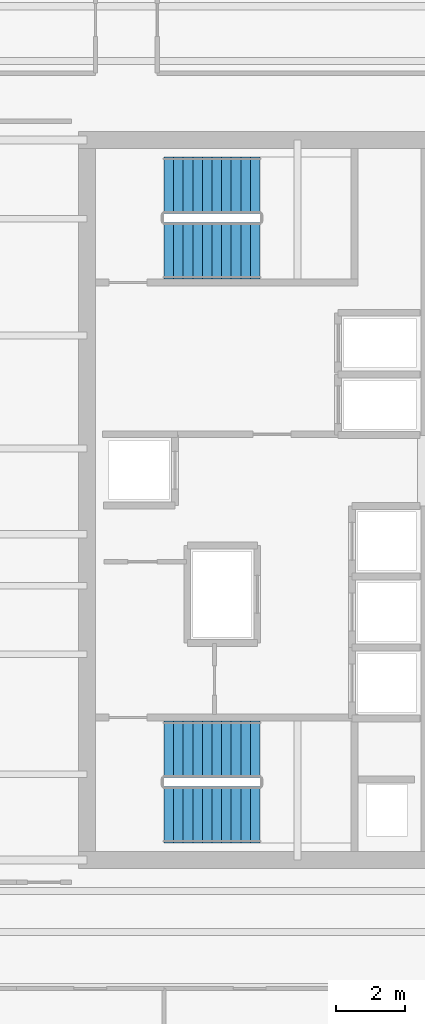
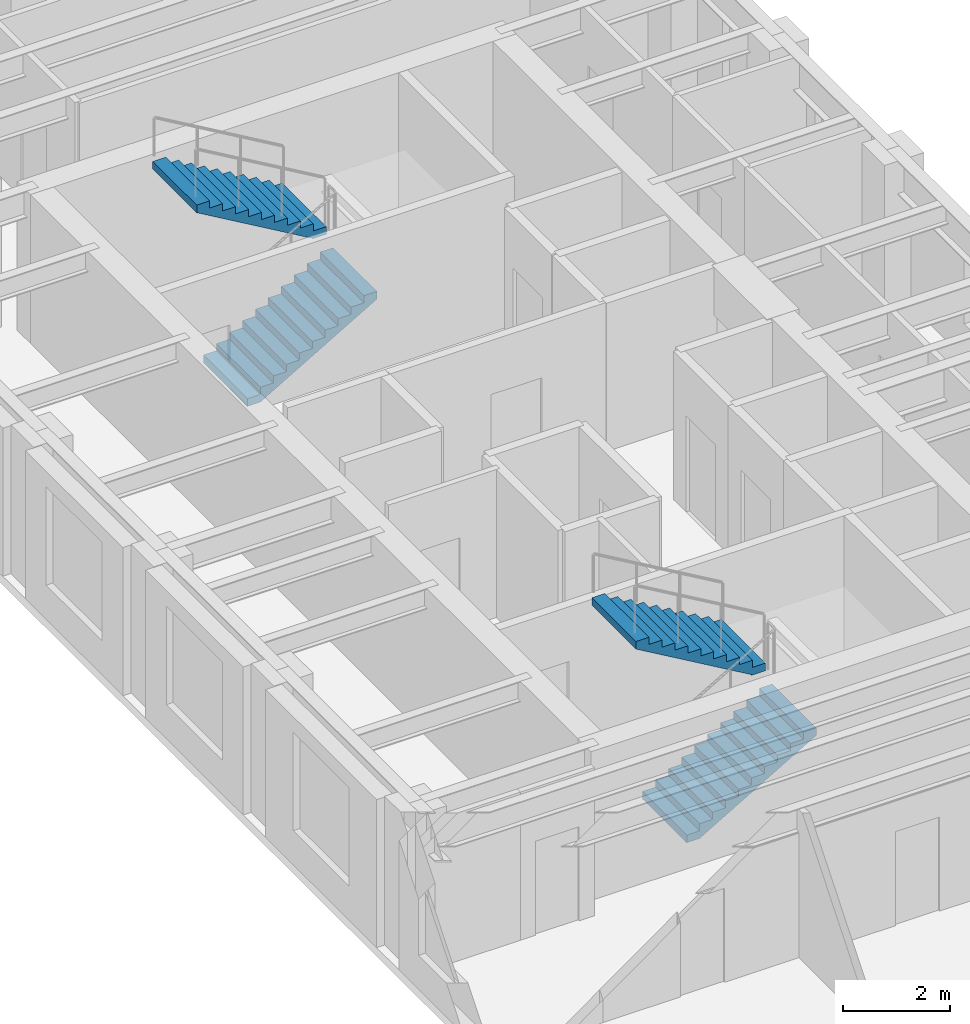
# One storey, part 9 of 10: 4 stair flights, 2 elements without a shape of their own.
"""IFC4 building model written with IfcOpenShell, lengths in metres."""

from ifc_helpers import new_model, si_unit, direction, frame, origin, place, context, subcontext, project, spatial, polyline, outline, extrude, source, transform, mapped, material, type_object, element, aggregate, save


model = new_model("IFC4")

# Units and contexts
model_context = context("Model", 3, precision=1e-05, world=origin(), true_north=direction((0.0, 1.0)))
body_context = subcontext(model_context, "Body", "Model", "MODEL_VIEW")
ifc_project = project(units=[si_unit("LENGTHUNIT", "METRE"), si_unit("AREAUNIT", "SQUARE_METRE"), si_unit("VOLUMEUNIT", "CUBIC_METRE"), si_unit("PLANEANGLEUNIT", "RADIAN"), si_unit("MASSUNIT", "GRAM", prefix="KILO")], contexts=[model_context])

# Site, building, storey
site_placement = place(None, origin())
site = spatial("IfcSite", under=ifc_project, at=site_placement, CompositionType="ELEMENT")
building_placement = place(site_placement, origin())
building = spatial("IfcBuilding", under=site, at=building_placement, Name="Kharzan Plaza Tower", CompositionType="ELEMENT")
storey_placement = place(building_placement, frame((0.0, 0.0, 270.0)))
storey = spatial("IfcBuildingStorey", under=building, at=storey_placement, Name="L73", CompositionType="ELEMENT", Elevation=270.0)

# Stair, stair flights
ifc_material = material(Name="Concrete C40/50", Category="concrete")
stair_type_1 = type_object("IfcStairType", Name="STR-ST-1", PredefinedType="HALF_TURN_STAIR", material=ifc_material)
stair_1_placement = place(storey_placement, origin())
stair_1 = element("IfcStair", 1, at=stair_1_placement, inside=storey, type_object=stair_type_1, Name="L73 Protected Exit Stair ST-1", PredefinedType="HALF_TURN_STAIR")
stair_flight_type = type_object("IfcStairFlightType", Name="SFL-1650-R173", PredefinedType="STRAIGHT", material=ifc_material)
shared_shape = source(origin(), body_context, "Body", "SweptSolid", [
    extrude(outline(polyline([(-0.0029296875, -0.011962890625), (-0.0029296875, 0.0), (0.0, 0.0), (0.0, 0.16357421875), (0.280029296875, 0.16357421875), (0.280029296875, 0.3271484375), (0.56005859375, 0.3271484375), (0.56005859375, 0.49072265625), (0.840087890625, 0.49072265625), (0.840087890625, 0.654296875), (1.1201171875, 0.654296875), (1.1201171875, 0.81787109375), (1.400146484375, 0.81787109375), (1.400146484375, 0.9814453125), (1.68017578125, 0.9814453125), (1.68017578125, 1.14501953125), (1.960205078125, 1.14501953125), (1.960205078125, 1.30859375), (2.240234375, 1.30859375), (2.240234375, 1.47216796875), (2.520263671875, 1.47216796875), (2.520263671875, 1.6357421875), (2.80029296875, 1.6357421875), (2.80029296875, 1.79931640625), (2.80029296875, 1.462158203125), (0.297119140625, 0.0), (0.297119140625, -0.011962890625), (-0.0029296875, -0.011962890625)])), frame((0.0, 0.824951171875, 0.0), z_axis=(0.0, -1.0, 0.0), x_axis=(1.0, 0.0, 0.0)), (0.0, 0.0, 1.0), 1.64990234375),
])
stair_flight_1_placement = place(storey_placement, frame((6.75, 9.824951171875, 0.0), z_axis=(0.0, 0.0, 1.0), x_axis=(1.0, 0.0, 0.0)))
stair_flight_1 = element("IfcStairFlight", 2, at=stair_flight_1_placement, type_object=stair_flight_type, Name="ST-1 flight 1", NumberOfRisers=11, NumberOfTreads=10, PredefinedType="STRAIGHT", RiserHeight=0.163636364, TreadLength=0.28, context=body_context, shape_type="MappedRepresentation", body=[
    mapped(shared_shape, transform((0.0, 0.0, 0.0), x_axis=(1.0, 0.0, 0.0), y_axis=(0.0, 1.0, 0.0), z_axis=(0.0, 0.0, 1.0))),
])
stair_flight_2_placement = place(storey_placement, frame((9.550048828125, 11.72509765625, 1.800048828125), z_axis=(0.0, 0.0, 1.0), x_axis=(-1.0, 0.0, 0.0)))
stair_flight_2 = element("IfcStairFlight", 3, at=stair_flight_2_placement, type_object=stair_flight_type, Name="ST-1 flight 2", NumberOfRisers=11, NumberOfTreads=10, PredefinedType="STRAIGHT", RiserHeight=0.163636364, TreadLength=0.28, context=body_context, shape_type="MappedRepresentation", body=[
    mapped(shared_shape, transform((0.0, 0.0, 0.0), x_axis=(1.0, 0.0, 0.0), y_axis=(0.0, 1.0, 0.0), z_axis=(0.0, 0.0, 1.0))),
])
aggregate(stair_1, [stair_flight_1, stair_flight_2])

stair_type_2 = type_object("IfcStairType", Name="STR-ST-2", PredefinedType="HALF_TURN_STAIR", material=ifc_material)
stair_2_placement = place(storey_placement, origin())
stair_2 = element("IfcStair", 4, at=stair_2_placement, inside=storey, type_object=stair_type_2, Name="L73 Protected Exit Stair ST-2", PredefinedType="HALF_TURN_STAIR")
stair_flight_3_placement = place(storey_placement, frame((6.75, 26.27490234375, 0.0), z_axis=(0.0, 0.0, 1.0), x_axis=(1.0, 0.0, 0.0)))
stair_flight_3 = element("IfcStairFlight", 5, at=stair_flight_3_placement, type_object=stair_flight_type, Name="ST-2 flight 1", NumberOfRisers=11, NumberOfTreads=10, PredefinedType="STRAIGHT", RiserHeight=0.163636364, TreadLength=0.28, context=body_context, shape_type="MappedRepresentation", body=[
    mapped(shared_shape, transform((0.0, 0.0, 0.0), x_axis=(1.0, 0.0, 0.0), y_axis=(0.0, 1.0, 0.0), z_axis=(0.0, 0.0, 1.0))),
])
stair_flight_4_placement = place(storey_placement, frame((9.550048828125, 28.175048828125, 1.800048828125), z_axis=(0.0, 0.0, 1.0), x_axis=(-1.0, 0.0, 0.0)))
stair_flight_4 = element("IfcStairFlight", 6, at=stair_flight_4_placement, type_object=stair_flight_type, Name="ST-2 flight 2", NumberOfRisers=11, NumberOfTreads=10, PredefinedType="STRAIGHT", RiserHeight=0.163636364, TreadLength=0.28, context=body_context, shape_type="MappedRepresentation", body=[
    mapped(shared_shape, transform((0.0, 0.0, 0.0), x_axis=(1.0, 0.0, 0.0), y_axis=(0.0, 1.0, 0.0), z_axis=(0.0, 0.0, 1.0))),
])
aggregate(stair_2, [stair_flight_3, stair_flight_4])

save(model, "model.ifc")
